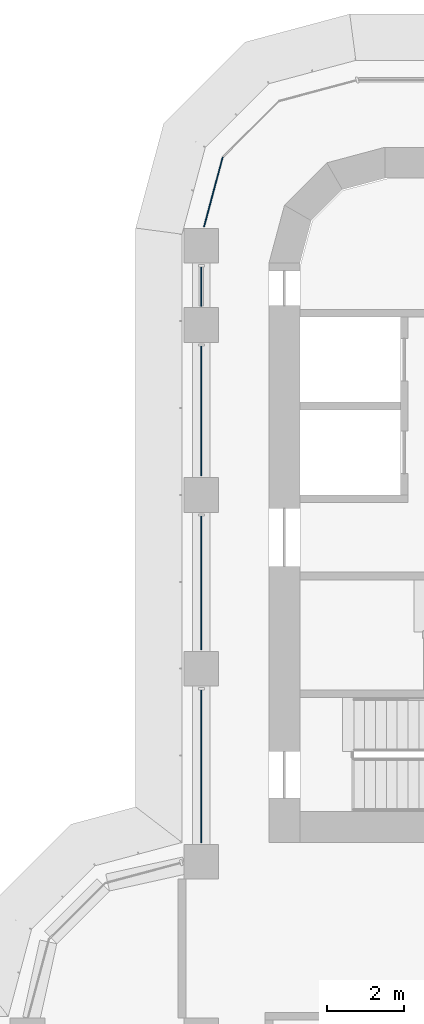
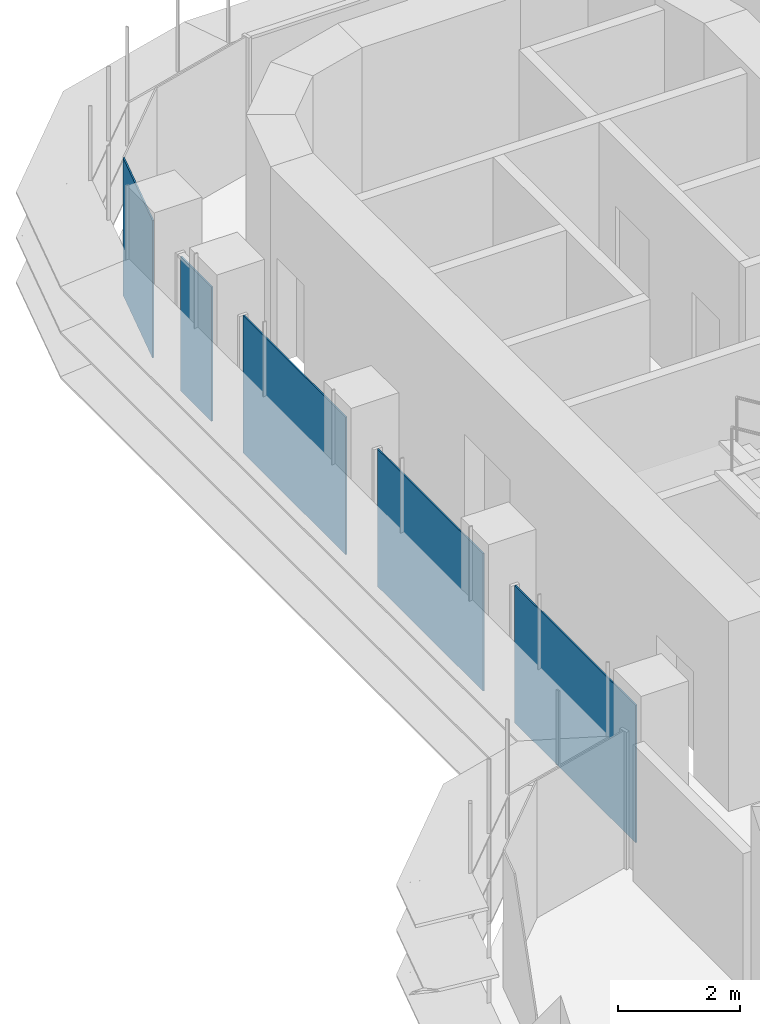
# One storey, part 13 of 22: 5 plates, 2 elements without a shape of their own.
"""IFC4 building model written with IfcOpenShell, lengths in metres."""

import ifcopenshell
import ifcopenshell.guid

model = None  # the IFC model being written
_history = None  # IfcOwnerHistory: only IFC2X3 demands one
_inside = {}  # id of a spatial element -> (the spatial element, [elements in it])
_under = {}  # id of a project, library or spatial element -> (it, [spatial elements below it])
_declared = {}  # id of a project -> (the project, [libraries it declares])
_typed = {}  # id of a type object -> (the type object, [elements of that type])
_made_of = {}  # id of a material, layer set ... -> (it, [elements and type objects made of it])


def new_model(schema):
    """Start an empty IFC model of exactly this schema.

    Asked for "IFC4X3", IfcOpenShell would pick the latest addendum, in which some entities
    have other attributes; the version numbers below select the first issue.
    IFC2X3 requires an IfcOwnerHistory on every rooted entity: one is made here for all.
    """
    global model, _history
    if schema == "IFC4X3":
        model = ifcopenshell.file(schema_version=(4, 3, 0, 0))
    else:
        model = ifcopenshell.file(schema=schema)
    _inside.clear()
    _under.clear()
    _declared.clear()
    _typed.clear()
    _made_of.clear()
    _history = None
    if model.schema == "IFC2X3":
        org = make("IfcOrganization", Name="unknown")
        user = make(
            "IfcPersonAndOrganization",
            ThePerson=make("IfcPerson", FamilyName="unknown"),
            TheOrganization=org,
        )
        app = make(
            "IfcApplication",
            ApplicationDeveloper=org,
            Version="unknown",
            ApplicationFullName="unknown",
            ApplicationIdentifier="unknown",
        )
        _history = make(
            "IfcOwnerHistory",
            OwningUser=user,
            OwningApplication=app,
            ChangeAction="ADDED",
            CreationDate=0,
        )
    return model


def make(cls, **values):
    """One entity of the class cls with the attributes given. An attribute that is None is left unset."""
    return model.create_entity(
        cls, **{name: value for name, value in values.items() if value is not None}
    )


def rooted(cls, **values):
    """An entity with a GlobalId (a new one), such as an element, a storey or a relation."""
    return make(cls, GlobalId=ifcopenshell.guid.new(), OwnerHistory=_history, **values)


def si_unit(unit_type, name, prefix=None):
    """IfcSIUnit, for example si_unit("LENGTHUNIT", "METRE", prefix="MILLI")."""
    return make("IfcSIUnit", UnitType=unit_type, Prefix=prefix, Name=name)


def assignment(units):
    """IfcUnitAssignment: the units of a project."""
    return None if units is None else make("IfcUnitAssignment", Units=units)


def point(xyz):
    """IfcCartesianPoint."""
    return None if xyz is None else make("IfcCartesianPoint", Coordinates=xyz)


def direction(xyz):
    """IfcDirection."""
    return None if xyz is None else make("IfcDirection", DirectionRatios=xyz)


def frame(location, z_axis=None, x_axis=None):
    """IfcAxis2Placement3D, a coordinate frame: its origin and axes. An axis left out is left unset."""
    return make(
        "IfcAxis2Placement3D",
        Location=point(location),
        Axis=direction(z_axis),
        RefDirection=direction(x_axis),
    )


def origin():
    """The frame at (0, 0, 0) with its axes left unset."""
    return frame((0.0, 0.0, 0.0))


def place(relative_to, where):
    """IfcLocalPlacement: puts the frame where relative to a parent placement (None: the world)."""
    return make(
        "IfcLocalPlacement", PlacementRelTo=relative_to, RelativePlacement=where
    )


def context(
    kind, dimensions, precision=None, world=None, true_north=None, identifier=None
):
    """IfcGeometricRepresentationContext, for example the 3D "Model" context."""
    return make(
        "IfcGeometricRepresentationContext",
        ContextIdentifier=identifier,
        ContextType=kind,
        CoordinateSpaceDimension=dimensions,
        Precision=precision,
        WorldCoordinateSystem=world,
        TrueNorth=true_north,
    )


def subcontext(parent, identifier, kind, view, scale=None):
    """IfcGeometricRepresentationSubContext, for example "Body" below "Model"."""
    return make(
        "IfcGeometricRepresentationSubContext",
        ContextIdentifier=identifier,
        ContextType=kind,
        ParentContext=parent,
        TargetScale=scale,
        TargetView=view,
    )


def project(units=None, contexts=None):
    """IfcProject with its units and contexts."""
    return rooted(
        "IfcProject",
        Name="project",
        RepresentationContexts=contexts,
        UnitsInContext=assignment(units),
    )


def spatial(cls, under=None, at=None, **own):
    """A site, building, storey or space (cls), placed at a placement, below another one or the project."""
    s = rooted(cls, ObjectPlacement=at, **own)
    if under is not None:
        _under.setdefault(under.id(), (under, []))[1].append(s)
    return s


def polyline(points):
    """IfcPolyline through the points."""
    return make("IfcPolyline", Points=[point(p) for p in points])


def outline(outer, holes=None, kind="AREA"):
    """IfcArbitraryClosedProfileDef: a profile drawn as a closed curve; with holes, ...WithVoids."""
    if holes is None:
        return make("IfcArbitraryClosedProfileDef", ProfileType=kind, OuterCurve=outer)
    return make(
        "IfcArbitraryProfileDefWithVoids",
        ProfileType=kind,
        OuterCurve=outer,
        InnerCurves=holes,
    )


def extrude(swept, where, along, depth):
    """IfcExtrudedAreaSolid: the profile swept, set in the frame where, extruded along a direction by depth."""
    return make(
        "IfcExtrudedAreaSolid",
        SweptArea=swept,
        Position=where,
        ExtrudedDirection=direction(along),
        Depth=depth,
    )


def shape(context_of_items, identifier, shape_type, items):
    """IfcShapeRepresentation: the items that make up one representation, for example the "Body"."""
    return make(
        "IfcShapeRepresentation",
        ContextOfItems=context_of_items,
        RepresentationIdentifier=identifier,
        RepresentationType=shape_type,
        Items=items,
    )


def source(mapping_origin, context_of_items, identifier, shape_type, items):
    """IfcRepresentationMap: a shape defined once, which mapped items show again and again."""
    return make(
        "IfcRepresentationMap",
        MappingOrigin=mapping_origin,
        MappedRepresentation=shape(context_of_items, identifier, shape_type, items),
    )


def transform(
    local_origin,
    x_axis=None,
    y_axis=None,
    z_axis=None,
    scale=None,
    scale2=None,
    scale3=None,
    uniform=True,
):
    """IfcCartesianTransformationOperator3D, or its non-uniform kind. x_axis, y_axis, z_axis: its Axis1, 2, 3."""
    if uniform:
        return make(
            "IfcCartesianTransformationOperator3D",
            Axis1=direction(x_axis),
            Axis2=direction(y_axis),
            LocalOrigin=point(local_origin),
            Scale=scale,
            Axis3=direction(z_axis),
        )
    return make(
        "IfcCartesianTransformationOperator3DnonUniform",
        Axis1=direction(x_axis),
        Axis2=direction(y_axis),
        LocalOrigin=point(local_origin),
        Scale=scale,
        Axis3=direction(z_axis),
        Scale2=scale2,
        Scale3=scale3,
    )


def mapped(mapping_source, mapping_target):
    """IfcMappedItem: shows the shape of a source again, moved by a transform."""
    return make(
        "IfcMappedItem", MappingSource=mapping_source, MappingTarget=mapping_target
    )


def material(Name=None, Category=None):
    """IfcMaterial."""
    return make("IfcMaterial", Name=Name, Category=Category)


def layer(
    of_material, thickness, ventilated=None, Name=None, Category=None, Priority=None
):
    """IfcMaterialLayer: one layer of a wall or slab, of a material (None: an air gap)."""
    return make(
        "IfcMaterialLayer",
        Material=of_material,
        LayerThickness=thickness,
        IsVentilated=ventilated,
        Name=Name,
        Category=Category,
        Priority=Priority,
    )


def layer_set(layers, Name=None):
    """IfcMaterialLayerSet."""
    return make("IfcMaterialLayerSet", MaterialLayers=layers, LayerSetName=Name)


def made_of(thing, what):
    """Note that an element or type object is made of a material, layer set ...; save() writes the relation."""
    if what is not None:
        _made_of.setdefault(what.id(), (what, []))[1].append(thing)
    return thing


def type_object(cls, material=None, **own):
    """A type object (cls), such as IfcWallType, which elements share."""
    return made_of(rooted(cls, **own), material)


def element(
    cls,
    number,
    at=None,
    inside=None,
    cuts=None,
    type_object=None,
    material=None,
    context=None,
    identifier="Body",
    shape_type=None,
    held_by="IfcProductDefinitionShape",
    body=None,
    shapes=None,
    **own,
):
    """One element of the class cls, such as IfcWall. Its Tag is "e" and its number.

    at: its placement. inside: the storey or other place that contains it. cuts: it is an
    opening in that element (IfcRelVoidsElement). A single representation is given by context,
    identifier, shape_type and body (its items); several are given by shapes. held_by: the class
    of the entity that holds the representations. save() writes the other relations.
    """
    e = rooted(cls, Tag="e%d" % number, ObjectPlacement=at, **own)
    if body is not None:
        shapes = [shape(context, identifier, shape_type, body)]
    if shapes is not None:
        e.Representation = make(held_by, Representations=shapes)
    if inside is not None:
        _inside.setdefault(inside.id(), (inside, []))[1].append(e)
    if cuts is not None:
        rooted(
            "IfcRelVoidsElement", RelatingBuildingElement=cuts, RelatedOpeningElement=e
        )
    if type_object is not None:
        _typed.setdefault(type_object.id(), (type_object, []))[1].append(e)
    return made_of(e, material)


def aggregate(whole, parts):
    """IfcRelAggregates: a whole, such as a stair, and the parts it consists of."""
    return rooted("IfcRelAggregates", RelatingObject=whole, RelatedObjects=parts)


def save(model, path):
    """Write the relations noted so far, then the file.

    IfcRelAggregates (storeys below a building ...), IfcRelContainedInSpatialStructure (elements
    in a storey), IfcRelDefinesByType, IfcRelAssociatesMaterial and IfcRelDeclares: one each for
    every whole, place, type object, material and project.
    """
    for whole, parts in _under.values():
        aggregate(whole, parts)
    for where, things in _inside.values():
        rooted(
            "IfcRelContainedInSpatialStructure",
            RelatedElements=things,
            RelatingStructure=where,
        )
    for kind, things in _typed.values():
        rooted("IfcRelDefinesByType", RelatedObjects=things, RelatingType=kind)
    for what, things in _made_of.values():
        rooted("IfcRelAssociatesMaterial", RelatedObjects=things, RelatingMaterial=what)
    for by, libraries in _declared.values():
        rooted("IfcRelDeclares", RelatingContext=by, RelatedDefinitions=libraries)
    model.write(path)


model = new_model("IFC4")

# Units and contexts
model_context = context("Model", 3, precision=1e-05, world=origin(), true_north=direction((0.0, 1.0)))
body_context = subcontext(model_context, "Body", "Model", "MODEL_VIEW")
ifc_project = project(units=[si_unit("LENGTHUNIT", "METRE"), si_unit("AREAUNIT", "SQUARE_METRE"), si_unit("VOLUMEUNIT", "CUBIC_METRE"), si_unit("PLANEANGLEUNIT", "RADIAN"), si_unit("MASSUNIT", "GRAM", prefix="KILO")], contexts=[model_context])

# Site, building, storey
site_placement = place(None, origin())
site = spatial("IfcSite", under=ifc_project, at=site_placement, CompositionType="ELEMENT")
building_placement = place(site_placement, origin())
building = spatial("IfcBuilding", under=site, at=building_placement, Name="Zarbagh Exchange Tower", CompositionType="ELEMENT")
storey_placement = place(building_placement, frame((0.0, 0.0, 132.199951171875)))
storey = spatial("IfcBuildingStorey", under=building, at=storey_placement, Name="L31", CompositionType="ELEMENT", Elevation=132.199951171875)

# Curtain wall, plates
ifc_material_1 = material(Name="Anodised aluminium frame and glazing", Category="aluminium")
curtain_wall_type = type_object("IfcCurtainWallType", Name="CWA Ribbon glazing, lower zones", PredefinedType="NOTDEFINED", material=ifc_material_1)
curtain_wall_1_placement = place(storey_placement, origin())
curtain_wall_1 = element("IfcCurtainWall", 1, at=curtain_wall_1_placement, inside=storey, type_object=curtain_wall_type, Name="CWA56 curtain wall", PredefinedType="NOTDEFINED")
ifc_material_2 = material(Name="Low-e double glazed unit, 6+12+6 mm")
ifc_layer = layer(ifc_material_2, 0.028076171875)
ifc_layer_set = layer_set([ifc_layer], Name="PAA Glazing panel, Low-e double glazed unit, 6+12+6 mm")
plate_type = type_object("IfcPlateType", Name="PAA Glazing panel, Low-e double glazed unit, 6+12+6 mm", PredefinedType="CURTAIN_PANEL", material=ifc_layer_set)
shared_shape_1 = source(origin(), body_context, "Body", "SweptSolid", [
    extrude(outline(polyline([(0.0, -0.013916015625), (3.360107421875, -0.013916015625), (3.360107421875, 0.013916015625), (0.0, 0.013916015625), (0.0, -0.013916015625)])), origin(), (0.0, 0.0, 1.0), 2.75),
])
placement = place(storey_placement, origin())
plate_1 = element("IfcPlate", 2, at=placement, type_object=plate_type, Name="CWA56 glazing panel 2.1", PredefinedType="CURTAIN_PANEL", context=body_context, shape_type="MappedRepresentation", body=[
    mapped(shared_shape_1, transform((-6.25, 24.099853515625, 0.0), x_axis=(0.0, -1.0, 0.0), y_axis=(1.0, 0.0, 0.0), z_axis=(0.0, 0.0, 1.0))),
])
shared_shape_2 = source(origin(), body_context, "Body", "SweptSolid", [
    extrude(outline(polyline([(0.0, -0.013916015625), (3.4599609375, -0.013916015625), (3.4599609375, 0.013916015625), (0.0, 0.013916015625), (0.0, -0.013916015625)])), origin(), (0.0, 0.0, 1.0), 2.75),
])
plate_2 = element("IfcPlate", 3, at=placement, type_object=plate_type, Name="CWA56 glazing panel 3.1", PredefinedType="CURTAIN_PANEL", context=body_context, shape_type="MappedRepresentation", body=[
    mapped(shared_shape_2, transform((-6.25, 19.699951171875, 0.0), x_axis=(0.0, -1.0, 0.0), y_axis=(1.0, 0.0, 0.0), z_axis=(0.0, 0.0, 1.0))),
])
shared_shape_3 = source(origin(), body_context, "Body", "SweptSolid", [
    extrude(outline(polyline([(0.0, -0.013916015625), (3.9599609375, -0.013916015625), (3.9599609375, 0.013916015625), (0.0, 0.013916015625), (0.0, -0.013916015625)])), origin(), (0.0, 0.0, 1.0), 2.75),
])
plate_3 = element("IfcPlate", 4, at=placement, type_object=plate_type, Name="CWA56 glazing panel 4.1", PredefinedType="CURTAIN_PANEL", context=body_context, shape_type="MappedRepresentation", body=[
    mapped(shared_shape_3, transform((-6.25, 15.199951171875, 0.0), x_axis=(0.0, -1.0, 0.0), y_axis=(1.0, 0.0, 0.0), z_axis=(0.0, 0.0, 1.0))),
])

# Curtain wall, plate
curtain_wall_2_placement = place(storey_placement, origin())
curtain_wall_2 = element("IfcCurtainWall", 5, at=curtain_wall_2_placement, inside=storey, type_object=curtain_wall_type, Name="CWA55 curtain wall", PredefinedType="NOTDEFINED")
shared_shape_4 = source(origin(), body_context, "Body", "SweptSolid", [
    extrude(outline(polyline([(0.0, -0.013916015625), (1.86474609375, -0.013916015625), (1.86474609375, 0.013916015625), (0.0, 0.013916015625), (0.0, -0.013916015625)])), origin(), (0.0, 0.0, 1.0), 2.75),
])
plate_4 = element("IfcPlate", 6, at=placement, type_object=plate_type, Name="CWA55 glazing panel 1.1", PredefinedType="CURTAIN_PANEL", context=body_context, shape_type="MappedRepresentation", body=[
    mapped(shared_shape_4, transform((-5.69873046875, 28.9912109375, 0.0), x_axis=(-0.258824779902, -0.965924289636, 0.0), y_axis=(0.965924289636, -0.258824779902, 0.0), z_axis=(0.0, 0.0, 1.0))),
])
aggregate(curtain_wall_2, [plate_4])

# Plate
shared_shape_5 = source(origin(), body_context, "Body", "SweptSolid", [
    extrude(outline(polyline([(0.0, -0.013916015625), (1.010009765625, -0.013916015625), (1.010009765625, 0.013916015625), (0.0, 0.013916015625), (0.0, -0.013916015625)])), origin(), (0.0, 0.0, 1.0), 2.68994140625),
])
plate_5 = element("IfcPlate", 7, at=placement, type_object=plate_type, Name="CWA56 glazing panel 1.1", PredefinedType="CURTAIN_PANEL", context=body_context, shape_type="MappedRepresentation", body=[
    mapped(shared_shape_5, transform((-6.25, 26.14990234375, 0.0), x_axis=(0.0, -1.0, 0.0), y_axis=(1.0, 0.0, 0.0), z_axis=(0.0, 0.0, 1.0))),
])

aggregate(curtain_wall_1, [plate_5, plate_1, plate_2, plate_3])

save(model, "model.ifc")
